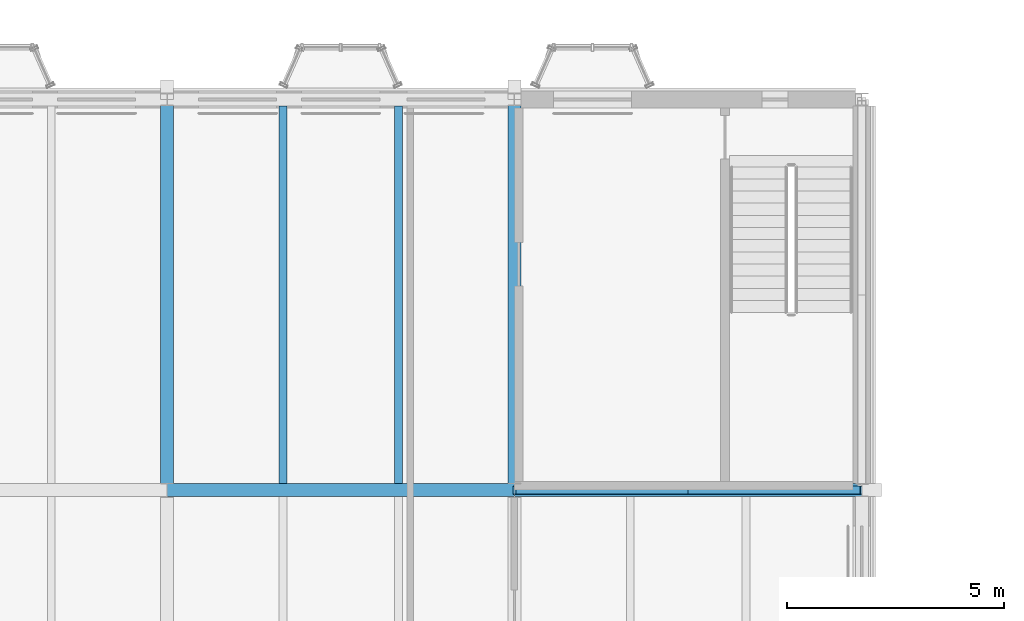
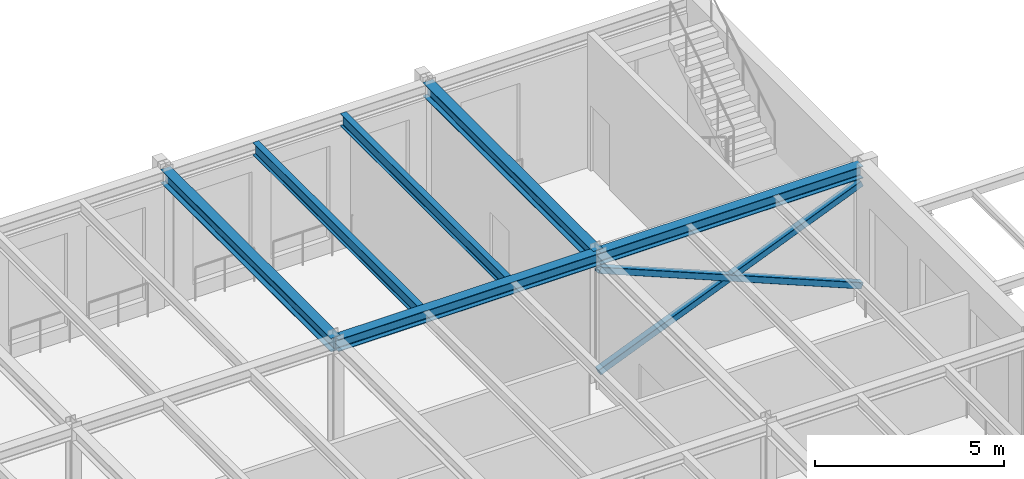
# One storey, part 55 of 153: 6 beams, 2 members.
"""IFC4 building model written with IfcOpenShell, lengths in metres."""

from ifc_helpers import new_model, si_unit, direction, frame, origin, origin_2d, place, context, subcontext, project, spatial, hollow_rectangle, i_section, extrude, material, material_profile, profile_set, type_object, element, save


model = new_model("IFC4")

# Units and contexts
model_context = context("Model", 3, precision=1e-05, world=origin(), true_north=direction((0.0, 1.0)))
body_context = subcontext(model_context, "Body", "Model", "MODEL_VIEW")
ifc_project = project(units=[si_unit("LENGTHUNIT", "METRE"), si_unit("AREAUNIT", "SQUARE_METRE"), si_unit("VOLUMEUNIT", "CUBIC_METRE"), si_unit("PLANEANGLEUNIT", "RADIAN"), si_unit("MASSUNIT", "GRAM", prefix="KILO")], contexts=[model_context])

# Site, building, storey
site_placement = place(None, origin())
site = spatial("IfcSite", under=ifc_project, at=site_placement, CompositionType="ELEMENT")
building_placement = place(site_placement, origin())
building = spatial("IfcBuilding", under=site, at=building_placement, Name="Kallimachos Central Library", CompositionType="ELEMENT")
storey_placement = place(building_placement, frame((0.0, 0.0, 5.39990234375)))
storey = spatial("IfcBuildingStorey", under=building, at=storey_placement, Name="L01", CompositionType="ELEMENT", Elevation=5.39990234375)

# Beams
ifc_material_1 = material(Name="Steel S355J2", Category="steel")
ifc_material_profile_1 = material_profile(ifc_material_1, i_section(OverallWidth=0.300048828125, OverallDepth=0.389892578125, WebThickness=0.010986328125, FlangeThickness=0.01904296875, FilletRadius=0.027099609375, at=origin_2d()), Name="HEA 400")
ifc_profile_set_1 = profile_set([ifc_material_profile_1], Name="Steel S355J2")
beam_type_1 = type_object("IfcBeamType", Name="HEA 400 beam", PredefinedType="BEAM", material=ifc_profile_set_1)
for number, where, z_axis, x_axis, name in (
    (1, (22.0, 105.0, 4.155029296875), (1.0, 0.0, 0.0), (0.0, 1.0, 0.0), "V2-BEM-L01-026"),
    (2, (30.0, 105.0, 4.155029296875), (1.0, 0.0, 0.0), (0.0, 1.0, 0.0), "V2-BEM-L01-027"),
):
    element("IfcBeam", number, at=place(storey_placement, frame(where, z_axis=z_axis, x_axis=x_axis)), inside=storey, type_object=beam_type_1, Name=name, PredefinedType="BEAM", context=body_context, shape_type="SweptSolid", body=[
        extrude(i_section(OverallWidth=0.300048828125, OverallDepth=0.389892578125, WebThickness=0.010986328125, FlangeThickness=0.01904296875, FilletRadius=0.027099609375, at=origin_2d()), origin(), (0.0, 0.0, 1.0), 8.0),
    ])
ifc_material_2 = material(Name="Steel S355J2", Category="steel")
ifc_material_profile_2 = material_profile(ifc_material_2, i_section(OverallWidth=0.300048828125, OverallDepth=0.43994140625, WebThickness=0.011474609375, FlangeThickness=0.02099609375, FilletRadius=0.027099609375, at=origin_2d()), Name="HEA 450")
ifc_profile_set_2 = profile_set([ifc_material_profile_2], Name="Steel S355J2")
beam_type_2 = type_object("IfcBeamType", Name="HEA 450 beam", PredefinedType="BEAM", material=ifc_profile_set_2)
for number, where, z_axis, x_axis, name in (
    (3, (22.0, 105.0, 4.130126953125), (0.0, 1.0, 0.0), (-1.0, 0.0, 0.0), "V2-BEM-L01-009"),
    (4, (30.0, 105.0, 4.130126953125), (0.0, 1.0, 0.0), (-1.0, 0.0, 0.0), "V2-BEM-L01-012"),
):
    element("IfcBeam", number, at=place(storey_placement, frame(where, z_axis=z_axis, x_axis=x_axis)), inside=storey, type_object=beam_type_2, Name=name, PredefinedType="BEAM", context=body_context, shape_type="SweptSolid", body=[
        extrude(i_section(OverallWidth=0.300048828125, OverallDepth=0.43994140625, WebThickness=0.011474609375, FlangeThickness=0.02099609375, FilletRadius=0.027099609375, at=origin_2d()), origin(), (0.0, 0.0, 1.0), 9.0),
    ])
ifc_material_3 = material(Name="Steel S355J2", Category="steel")
ifc_material_profile_3 = material_profile(ifc_material_3, i_section(OverallWidth=0.179931640625, OverallDepth=0.39990234375, WebThickness=0.008544921875, FlangeThickness=0.013427734375, FilletRadius=0.02099609375, at=origin_2d()), Name="IPE 400")
ifc_profile_set_3 = profile_set([ifc_material_profile_3], Name="Steel S355J2")
beam_type_3 = type_object("IfcBeamType", Name="IPE 400 beam", PredefinedType="BEAM", material=ifc_profile_set_3)
for number, where, z_axis, x_axis, name in (
    (5, (24.666748046875, 105.14990234375, 4.150146484375), (0.0, 1.0, 0.0), (-1.0, 0.0, 0.0), "V2-BEM-L01-046"),
    (6, (27.333251953125, 105.14990234375, 4.150146484375), (0.0, 1.0, 0.0), (-1.0, 0.0, 0.0), "V2-BEM-L01-047"),
):
    element("IfcBeam", number, at=place(storey_placement, frame(where, z_axis=z_axis, x_axis=x_axis)), inside=storey, type_object=beam_type_3, Name=name, PredefinedType="BEAM", context=body_context, shape_type="SweptSolid", body=[
        extrude(i_section(OverallWidth=0.179931640625, OverallDepth=0.39990234375, WebThickness=0.008544921875, FlangeThickness=0.013427734375, FilletRadius=0.02099609375, at=origin_2d()), origin(), (0.0, 0.0, 1.0), 8.7001953125),
    ])

# Members
ifc_material_4 = material(Name="Steel S355J2H", Category="steel")
ifc_material_profile_4 = material_profile(ifc_material_4, hollow_rectangle(XDim=0.199951171875, YDim=0.199951171875, WallThickness=0.010009765625, InnerFilletRadius=0.010009765625, OuterFilletRadius=0.014892578125, at=origin_2d()), Name="SHS 200x200x10")
ifc_profile_set_4 = profile_set([ifc_material_profile_4], Name="Steel S355J2H")
member_type = type_object("IfcMemberType", Name="SHS 200x200x10 brace", PredefinedType="BRACE", material=ifc_profile_set_4)
for number, where, z_axis, x_axis, name in (
    (7, (30.0, 105.0, 0.4501953125), (0.924446557028, 0.0, 0.381311635278), (0.0, 1.0, 0.0), "V2-MEM-L01-007"),
    (8, (30.0, 105.0, 3.75), (0.924446557028, 0.0, -0.381311635278), (0.0, 1.0, 0.0), "V2-MEM-L01-008"),
):
    element("IfcMember", number, at=place(storey_placement, frame(where, z_axis=z_axis, x_axis=x_axis)), inside=storey, type_object=member_type, Name=name, PredefinedType="BRACE", context=body_context, shape_type="SweptSolid", body=[
        extrude(hollow_rectangle(XDim=0.199951171875, YDim=0.199951171875, WallThickness=0.010009765625, InnerFilletRadius=0.010009765625, OuterFilletRadius=0.014892578125, at=origin_2d()), origin(), (0.0, 0.0, 1.0), 8.65380859375),
    ])

save(model, "model.ifc")
